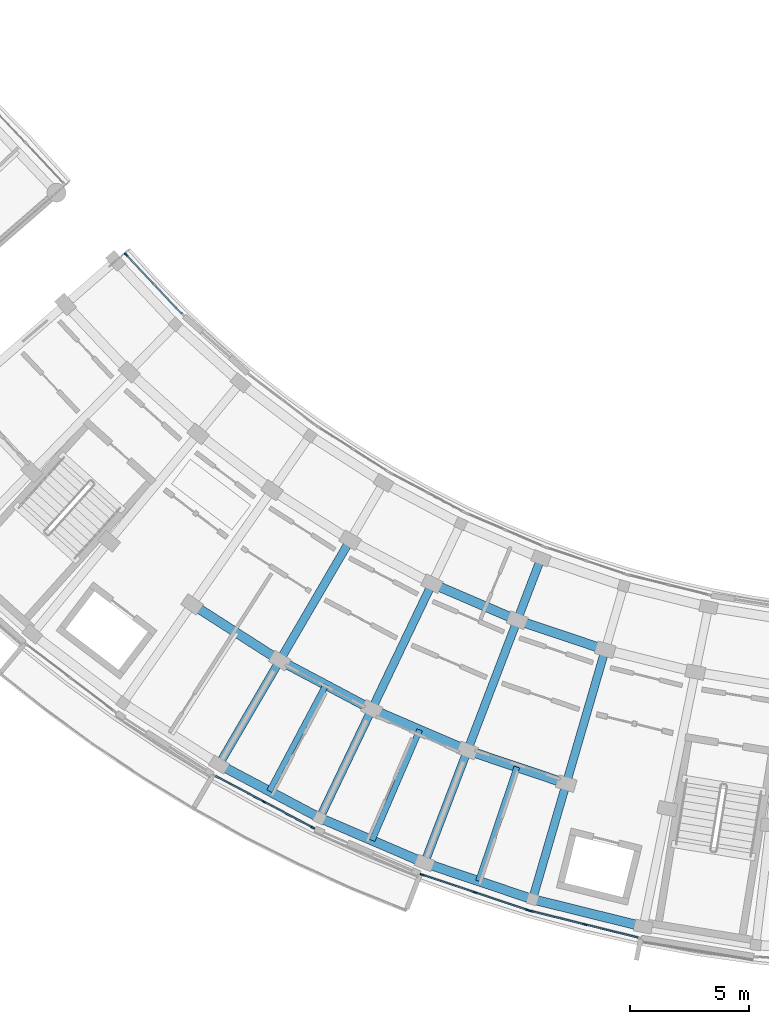
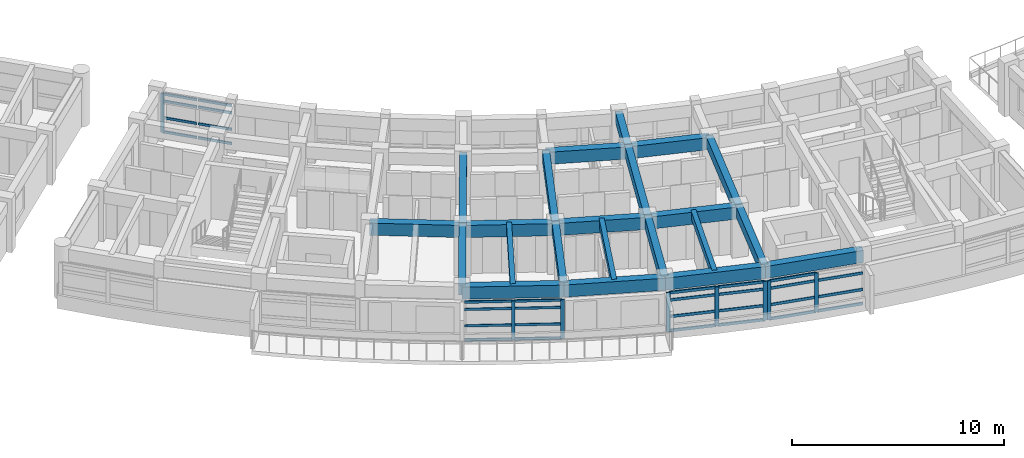
# One storey, part 11 of 54: 39 members, 22 beams, 4 elements without a shape of their own.
"""IFC4 building model written with IfcOpenShell, lengths in metres."""

from ifc_helpers import new_model, si_unit, direction, frame, origin, origin_2d, place, context, subcontext, project, spatial, rectangle, extrude, material, material_profile, profile_set, type_object, element, aggregate, save


model = new_model("IFC4")

# Units and contexts
model_context = context("Model", 3, precision=1e-05, world=origin(), true_north=direction((0.0, 1.0)))
body_context = subcontext(model_context, "Body", "Model", "MODEL_VIEW")
ifc_project = project(units=[si_unit("LENGTHUNIT", "METRE"), si_unit("AREAUNIT", "SQUARE_METRE"), si_unit("VOLUMEUNIT", "CUBIC_METRE"), si_unit("PLANEANGLEUNIT", "RADIAN"), si_unit("MASSUNIT", "GRAM", prefix="KILO")], contexts=[model_context])

# Site, building, storey
site_placement = place(None, origin())
site = spatial("IfcSite", under=ifc_project, at=site_placement, CompositionType="ELEMENT")
building_placement = place(site_placement, origin())
building = spatial("IfcBuilding", under=site, at=building_placement, Name="Zimvara Arc Housing Community", CompositionType="ELEMENT")
storey_placement = place(building_placement, frame((0.0, 0.0, 20.5)))
storey = spatial("IfcBuildingStorey", under=building, at=storey_placement, Name="L06", CompositionType="ELEMENT", Elevation=20.5)

# Beams
ifc_material_1 = material(Name="Concrete C40/50", Category="concrete")
ifc_material_profile_1 = material_profile(ifc_material_1, rectangle(XDim=0.25, YDim=0.449951171875, at=origin_2d()), Name="RC 250x450")
ifc_profile_set_1 = profile_set([ifc_material_profile_1], Name="Concrete C40/50")
beam_type_1 = type_object("IfcBeamType", Name="BM-RC-250x450", PredefinedType="JOIST", material=ifc_profile_set_1)
for number, where, z_axis, x_axis, name in (
    (1, (100.793212890625, 62.37060546875, 2.635009765625), (-0.46853732736, -0.883443701019, 0.0), (0.883443701019, -0.46853732736, 0.0), "bm:blkC:L06:joist:b4"),
    (2, (104.751953125, 60.473876953125, 2.635009765625), (-0.394946561353, -0.918704094731, 0.0), (0.918704094731, -0.394946561353, 0.0), "bm:blkC:L06:joist:b5"),
    (3, (108.85205078125, 58.906494140625, 2.635009765625), (-0.318622196545, -0.947881794249, 0.0), (0.947881794249, -0.318622196545, 0.0), "bm:blkC:L06:joist:b6"),
):
    element("IfcBeam", number, at=place(storey_placement, frame(where, z_axis=z_axis, x_axis=x_axis)), inside=storey, type_object=beam_type_1, Name=name, PredefinedType="JOIST", context=body_context, shape_type="SweptSolid", body=[
        extrude(rectangle(XDim=0.25, YDim=0.449951171875, at=origin_2d()), origin(), (0.0, 0.0, 1.0), 5.07568359375),
    ])
ifc_material_2 = material(Name="Concrete C40/50", Category="concrete")
ifc_material_profile_2 = material_profile(ifc_material_2, rectangle(XDim=0.35009765625, YDim=0.60009765625, at=origin_2d()), Name="RC 350x600")
ifc_profile_set_2 = profile_set([ifc_material_profile_2], Name="Concrete C40/50")
beam_type_2 = type_object("IfcBeamType", Name="BM-RC-350x600", PredefinedType="BEAM", material=ifc_profile_set_2)
beam_1_placement = place(storey_placement, frame((101.8173828125, 68.4775390625, 2.56005859375), z_axis=(-0.504237574462, -0.863564976421, 0.0), x_axis=(0.863564976421, -0.504237574462, 0.0)))
element("IfcBeam", 4, at=beam_1_placement, inside=storey, type_object=beam_type_2, Name="bm:blkC:L06:rad:b4:r12", PredefinedType="BEAM", context=body_context, shape_type="SweptSolid", body=[
    extrude(rectangle(XDim=0.35009765625, YDim=0.60009765625, at=origin_2d()), origin(), (0.0, 0.0, 1.0), 5.8798828125),
])
beam_2_placement = place(storey_placement, frame((98.8525390625, 63.39990234375, 2.56005859375), z_axis=(-0.504196701544, -0.863588840915, 0.0), x_axis=(0.863588840915, -0.504196701544, 0.0)))
element("IfcBeam", 5, at=beam_2_placement, inside=storey, type_object=beam_type_2, Name="bm:blkC:L06:rad:b4:r23", PredefinedType="BEAM", context=body_context, shape_type="SweptSolid", body=[
    extrude(rectangle(XDim=0.35009765625, YDim=0.60009765625, at=origin_2d()), origin(), (0.0, 0.0, 1.0), 5.079833984375),
])
beam_3_placement = place(storey_placement, frame((105.2744140625, 66.644287109375, 2.56005859375), z_axis=(-0.432053349188, -0.901848048983, 0.0), x_axis=(0.901848048983, -0.432053349188, 0.0)))
element("IfcBeam", 6, at=beam_3_placement, inside=storey, type_object=beam_type_2, Name="bm:blkC:L06:rad:b5:r12", PredefinedType="BEAM", context=body_context, shape_type="SweptSolid", body=[
    extrude(rectangle(XDim=0.35009765625, YDim=0.60009765625, at=origin_2d()), origin(), (0.0, 0.0, 1.0), 5.880126953125),
])
beam_4_placement = place(storey_placement, frame((102.73388671875, 61.34130859375, 2.56005859375), z_axis=(-0.432098194978, -0.901826563091, 0.0), x_axis=(0.901826563091, -0.432098194978, 0.0)))
element("IfcBeam", 7, at=beam_4_placement, inside=storey, type_object=beam_type_2, Name="bm:blkC:L06:rad:b5:r23", PredefinedType="BEAM", context=body_context, shape_type="SweptSolid", body=[
    extrude(rectangle(XDim=0.35009765625, YDim=0.60009765625, at=origin_2d()), origin(), (0.0, 0.0, 1.0), 5.080078125),
])
beam_5_placement = place(storey_placement, frame((109.869384765625, 67.71435546875, 2.56005859375), z_axis=(-0.357126279724, -0.934056111982, 0.0), x_axis=(0.934056111982, -0.357126279724, 0.0)))
element("IfcBeam", 8, at=beam_5_placement, inside=storey, type_object=beam_type_2, Name="bm:blkC:L06:rad:b6:r01", PredefinedType="BEAM", context=body_context, shape_type="SweptSolid", body=[
    extrude(rectangle(XDim=0.35009765625, YDim=0.60009765625, at=origin_2d()), origin(), (0.0, 0.0, 1.0), 2.800048828125),
])
beam_6_placement = place(storey_placement, frame((108.869384765625, 65.098876953125, 2.56005859375), z_axis=(-0.357036247742, -0.934090529766, 0.0), x_axis=(0.934090529766, -0.357036247742, 0.0)))
element("IfcBeam", 9, at=beam_6_placement, inside=storey, type_object=beam_type_2, Name="bm:blkC:L06:rad:b6:r12", PredefinedType="BEAM", context=body_context, shape_type="SweptSolid", body=[
    extrude(rectangle(XDim=0.35009765625, YDim=0.60009765625, at=origin_2d()), origin(), (0.0, 0.0, 1.0), 5.8798828125),
])
beam_7_placement = place(storey_placement, frame((106.77001953125, 59.6064453125, 2.56005859375), z_axis=(-0.357078271386, -0.934074466038, 0.0), x_axis=(0.934074466038, -0.357078271386, 0.0)))
element("IfcBeam", 10, at=beam_7_placement, inside=storey, type_object=beam_type_2, Name="bm:blkC:L06:rad:b6:r23", PredefinedType="BEAM", context=body_context, shape_type="SweptSolid", body=[
    extrude(rectangle(XDim=0.35009765625, YDim=0.60009765625, at=origin_2d()), origin(), (0.0, 0.0, 1.0), 5.080078125),
])
beam_8_placement = place(storey_placement, frame((112.57861328125, 63.85205078125, 2.56005859375), z_axis=(-0.27964761269, -0.960102709462, 0.0), x_axis=(0.960102709462, -0.27964761269, 0.0)))
element("IfcBeam", 11, at=beam_8_placement, inside=storey, type_object=beam_type_2, Name="bm:blkC:L06:rad:b7:r12", PredefinedType="BEAM", context=body_context, shape_type="SweptSolid", body=[
    extrude(rectangle(XDim=0.35009765625, YDim=0.60009765625, at=origin_2d()), origin(), (0.0, 0.0, 1.0), 5.8798828125),
])
beam_9_placement = place(storey_placement, frame((110.934326171875, 58.206787109375, 2.56005859375), z_axis=(-0.279693649113, -0.960089299308, 0.0), x_axis=(0.960089299308, -0.279693649113, 0.0)))
element("IfcBeam", 12, at=beam_9_placement, inside=storey, type_object=beam_type_2, Name="bm:blkC:L06:rad:b7:r23", PredefinedType="BEAM", context=body_context, shape_type="SweptSolid", body=[
    extrude(rectangle(XDim=0.35009765625, YDim=0.60009765625, at=origin_2d()), origin(), (0.0, 0.0, 1.0), 5.080078125),
])
ifc_material_3 = material(Name="Concrete C40/50", Category="concrete")
ifc_material_profile_3 = material_profile(ifc_material_3, rectangle(XDim=0.39990234375, YDim=0.699951171875, at=origin_2d()), Name="RC 400x700")
ifc_profile_set_3 = profile_set([ifc_material_profile_3], Name="Concrete C40/50")
beam_type_3 = type_object("IfcBeamType", Name="BM-RC-400x700", PredefinedType="BEAM", material=ifc_profile_set_3)
for number, where, z_axis, x_axis, name in (
    (13, (105.2744140625, 66.644287109375, 2.510009765625), (0.918708805961, -0.394935602155, 0.0), (0.394935602155, 0.918708805961, 0.0), "bm:blkC:L06:chord:r1:b5"),
    (14, (108.869384765625, 65.098876953125, 2.510009765625), (0.947881689069, -0.31862250945, 0.0), (0.31862250945, 0.947881689069, 0.0), "bm:blkC:L06:chord:r1:b6"),
):
    element("IfcBeam", number, at=place(storey_placement, frame(where, z_axis=z_axis, x_axis=x_axis)), inside=storey, type_object=beam_type_3, Name=name, PredefinedType="BEAM", context=body_context, shape_type="SweptSolid", body=[
        extrude(rectangle(XDim=0.39990234375, YDim=0.699951171875, at=origin_2d()), origin(), (0.0, 0.0, 1.0), 3.9130859375),
    ])
beam_10_placement = place(storey_placement, frame((95.15234375, 65.76806640625, 2.510009765625), z_axis=(0.842267363538, -0.539060004376, 0.0), x_axis=(0.539060004376, 0.842267363538, 0.0)))
element("IfcBeam", 15, at=beam_10_placement, inside=storey, type_object=beam_type_3, Name="bm:blkC:L06:chord:r2:b3", PredefinedType="BEAM", context=body_context, shape_type="SweptSolid", body=[
    extrude(rectangle(XDim=0.39990234375, YDim=0.699951171875, at=origin_2d()), origin(), (0.0, 0.0, 1.0), 4.39306640625),
])
beam_11_placement = place(storey_placement, frame((98.8525390625, 63.39990234375, 2.510009765625), z_axis=(0.883433524437, -0.468556515162, 0.0), x_axis=(0.468556515162, 0.883433524437, 0.0)))
element("IfcBeam", 16, at=beam_11_placement, inside=storey, type_object=beam_type_3, Name="bm:blkC:L06:chord:r2:b4", PredefinedType="BEAM", context=body_context, shape_type="SweptSolid", body=[
    extrude(rectangle(XDim=0.39990234375, YDim=0.699951171875, at=origin_2d()), origin(), (0.0, 0.0, 1.0), 4.3935546875),
])
for number, where, z_axis, x_axis, name in (
    (17, (102.73388671875, 61.34130859375, 2.510009765625), (0.918724840088, -0.394898301093, 0.0), (0.394898301093, 0.918724840088, 0.0), "bm:blkC:L06:chord:r2:b5"),
    (18, (106.77001953125, 59.6064453125, 2.510009765625), (0.947891222174, -0.318594147665, 0.0), (0.318594147665, 0.947891222174, 0.0), "bm:blkC:L06:chord:r2:b6"),
):
    element("IfcBeam", number, at=place(storey_placement, frame(where, z_axis=z_axis, x_axis=x_axis)), inside=storey, type_object=beam_type_3, Name=name, PredefinedType="BEAM", context=body_context, shape_type="SweptSolid", body=[
        extrude(rectangle(XDim=0.39990234375, YDim=0.699951171875, at=origin_2d()), origin(), (0.0, 0.0, 1.0), 4.393310546875),
    ])
for number, where, z_axis, x_axis, name in (
    (19, (96.291259765625, 59.012939453125, 2.510009765625), (0.883424523434, -0.468573485587, 0.0), (0.468573485587, 0.883424523434, 0.0), "bm:blkC:L06:chord:r3:b4"),
    (20, (100.538818359375, 56.760009765625, 2.510009765625), (0.918724276228, -0.394899612901, 0.0), (0.394899612901, 0.918724276228, 0.0), "bm:blkC:L06:chord:r3:b5"),
):
    element("IfcBeam", number, at=place(storey_placement, frame(where, z_axis=z_axis, x_axis=x_axis)), inside=storey, type_object=beam_type_3, Name=name, PredefinedType="BEAM", context=body_context, shape_type="SweptSolid", body=[
        extrude(rectangle(XDim=0.39990234375, YDim=0.699951171875, at=origin_2d()), origin(), (0.0, 0.0, 1.0), 4.80810546875),
    ])
beam_12_placement = place(storey_placement, frame((104.9560546875, 54.861328125, 2.510009765625), z_axis=(0.947877948153, -0.31863363822, 0.0), x_axis=(0.31863363822, 0.947877948153, 0.0)))
element("IfcBeam", 21, at=beam_12_placement, inside=storey, type_object=beam_type_3, Name="bm:blkC:L06:chord:r3:b6", PredefinedType="BEAM", context=body_context, shape_type="SweptSolid", body=[
    extrude(rectangle(XDim=0.39990234375, YDim=0.699951171875, at=origin_2d()), origin(), (0.0, 0.0, 1.0), 4.807861328125),
])
beam_13_placement = place(storey_placement, frame((109.513427734375, 53.329345703125, 2.510009765625), z_axis=(0.970719165502, -0.240217196986, 0.0), x_axis=(0.240217196986, 0.970719165502, 0.0)))
element("IfcBeam", 22, at=beam_13_placement, inside=storey, type_object=beam_type_3, Name="bm:blkC:L06:chord:r3:b7", PredefinedType="BEAM", context=body_context, shape_type="SweptSolid", body=[
    extrude(rectangle(XDim=0.39990234375, YDim=0.699951171875, at=origin_2d()), origin(), (0.0, 0.0, 1.0), 4.808349609375),
])

# Curtain wall, member
ifc_material_4 = material(Name="Anodised Aluminium AW-6063", Category="aluminium")
curtain_wall_type_1 = type_object("IfcCurtainWallType", Name="CW-SYS-06", PredefinedType="USERDEFINED", material=ifc_material_4)
curtain_wall_1_placement = place(storey_placement, origin())
curtain_wall_1 = element("IfcCurtainWall", 23, at=curtain_wall_1_placement, inside=storey, type_object=curtain_wall_type_1, Name="cw:blkC:L06:in:b0", ObjectType="CURTAIN WALL", PredefinedType="USERDEFINED")
ifc_material_5 = material(Name="Anodised Aluminium AW-6063", Category="aluminium")
ifc_material_profile_4 = material_profile(ifc_material_5, rectangle(XDim=0.06494140625, YDim=0.179931640625, at=origin_2d()), Name="ALU 65x180")
ifc_profile_set_4 = profile_set([ifc_material_profile_4], Name="Anodised Aluminium AW-6063")
member_type_1 = type_object("IfcMemberType", Name="CWM-65x150", PredefinedType="MULLION", material=ifc_profile_set_4)
member_1_placement = place(storey_placement, frame((92.368408203125, 80.519287109375, 0.0), z_axis=(0.0, 0.0, 1.0), x_axis=(0.727293280483, 0.686326805658, 0.0)))
member_1 = element("IfcMember", 24, at=member_1_placement, type_object=member_type_1, Name="CW06 mullion 1", PredefinedType="MULLION", context=body_context, shape_type="SweptSolid", body=[
    extrude(rectangle(XDim=0.06494140625, YDim=0.179931640625, at=origin_2d()), origin(), (0.0, 0.0, 1.0), 2.25),
])

# Curtain wall, members
ifc_material_6 = material(Name="Anodised Aluminium AW-6063", Category="aluminium")
curtain_wall_type_2 = type_object("IfcCurtainWallType", Name="CW-SYS-02", PredefinedType="USERDEFINED", material=ifc_material_6)
curtain_wall_2_placement = place(storey_placement, origin())
curtain_wall_2 = element("IfcCurtainWall", 25, at=curtain_wall_2_placement, inside=storey, type_object=curtain_wall_type_2, Name="cw:blkC:L06:out:b4", ObjectType="CURTAIN WALL", PredefinedType="USERDEFINED")
member_2_placement = place(storey_placement, frame((98.180908203125, 57.445068359375, 0.0), z_axis=(0.0, 0.0, 1.0), x_axis=(0.468546917761, 0.883438614651, 0.0)))
member_2 = element("IfcMember", 26, at=member_2_placement, type_object=member_type_1, Name="CW02 mullion 2", PredefinedType="MULLION", context=body_context, shape_type="SweptSolid", body=[
    extrude(rectangle(XDim=0.06494140625, YDim=0.179931640625, at=origin_2d()), origin(), (0.0, 0.0, 1.0), 2.25),
])
member_3_placement = place(storey_placement, frame((100.240966796875, 56.3525390625, 0.0), z_axis=(0.0, 0.0, 1.0), x_axis=(0.468546917761, 0.883438614651, 0.0)))
member_3 = element("IfcMember", 27, at=member_3_placement, type_object=member_type_1, Name="CW02 mullion 3", PredefinedType="MULLION", context=body_context, shape_type="SweptSolid", body=[
    extrude(rectangle(XDim=0.06494140625, YDim=0.179931640625, at=origin_2d()), origin(), (0.0, 0.0, 1.0), 2.25),
])

ifc_material_7 = material(Name="Anodised Aluminium AW-6063", Category="aluminium")
curtain_wall_type_3 = type_object("IfcCurtainWallType", Name="CW-SYS-05", PredefinedType="USERDEFINED", material=ifc_material_7)
curtain_wall_3_placement = place(storey_placement, origin())
curtain_wall_3 = element("IfcCurtainWall", 28, at=curtain_wall_3_placement, inside=storey, type_object=curtain_wall_type_3, Name="cw:blkC:L06:out:b6", ObjectType="CURTAIN WALL", PredefinedType="USERDEFINED")
ifc_material_8 = material(Name="Anodised Aluminium AW-6063", Category="aluminium")
ifc_material_profile_5 = material_profile(ifc_material_8, rectangle(XDim=0.06494140625, YDim=0.195068359375, at=origin_2d()), Name="ALU 65x195")
ifc_profile_set_5 = profile_set([ifc_material_profile_5], Name="Anodised Aluminium AW-6063")
member_type_2 = type_object("IfcMemberType", Name="CWM-65x180", PredefinedType="MULLION", material=ifc_profile_set_5)
member_4_placement = place(storey_placement, frame((104.865234375, 54.36474609375, 0.0), z_axis=(0.0, 0.0, 1.0), x_axis=(0.318628583921, 0.947879647164, 0.0)))
member_4 = element("IfcMember", 29, at=member_4_placement, type_object=member_type_2, Name="CW05 mullion 1", PredefinedType="MULLION", context=body_context, shape_type="SweptSolid", body=[
    extrude(rectangle(XDim=0.06494140625, YDim=0.195068359375, at=origin_2d()), origin(), (0.0, 0.0, 1.0), 2.25),
])
member_5_placement = place(storey_placement, frame((107.07568359375, 53.621826171875, 0.0), z_axis=(0.0, 0.0, 1.0), x_axis=(0.318628583921, 0.947879647164, 0.0)))
member_5 = element("IfcMember", 30, at=member_5_placement, type_object=member_type_2, Name="CW05 mullion 2", PredefinedType="MULLION", context=body_context, shape_type="SweptSolid", body=[
    extrude(rectangle(XDim=0.06494140625, YDim=0.195068359375, at=origin_2d()), origin(), (0.0, 0.0, 1.0), 2.25),
])
member_6_placement = place(storey_placement, frame((109.2861328125, 52.87890625, 0.0), z_axis=(0.0, 0.0, 1.0), x_axis=(0.318628583921, 0.947879647164, 0.0)))
member_6 = element("IfcMember", 31, at=member_6_placement, type_object=member_type_2, Name="CW05 mullion 3", PredefinedType="MULLION", context=body_context, shape_type="SweptSolid", body=[
    extrude(rectangle(XDim=0.06494140625, YDim=0.195068359375, at=origin_2d()), origin(), (0.0, 0.0, 1.0), 2.25),
])

ifc_material_9 = material(Name="Anodised Aluminium AW-6063", Category="aluminium")
curtain_wall_type_4 = type_object("IfcCurtainWallType", Name="CW-SYS-07", PredefinedType="USERDEFINED", material=ifc_material_9)
curtain_wall_4_placement = place(storey_placement, origin())
curtain_wall_4 = element("IfcCurtainWall", 32, at=curtain_wall_4_placement, inside=storey, type_object=curtain_wall_type_4, Name="cw:blkC:L06:out:b7", ObjectType="CURTAIN WALL", PredefinedType="USERDEFINED")
member_7_placement = place(storey_placement, frame((109.46337890625, 52.8271484375, 0.0), z_axis=(0.0, 0.0, 1.0), x_axis=(0.240229711131, 0.970716068627, 0.0)))
member_7 = element("IfcMember", 33, at=member_7_placement, type_object=member_type_2, Name="CW07 mullion 1", PredefinedType="MULLION", context=body_context, shape_type="SweptSolid", body=[
    extrude(rectangle(XDim=0.06494140625, YDim=0.195068359375, at=origin_2d()), origin(), (0.0, 0.0, 1.0), 2.25),
])
member_8_placement = place(storey_placement, frame((111.72705078125, 52.266845703125, 0.0), z_axis=(0.0, 0.0, 1.0), x_axis=(0.240229711131, 0.970716068627, 0.0)))
member_8 = element("IfcMember", 34, at=member_8_placement, type_object=member_type_2, Name="CW07 mullion 2", PredefinedType="MULLION", context=body_context, shape_type="SweptSolid", body=[
    extrude(rectangle(XDim=0.06494140625, YDim=0.195068359375, at=origin_2d()), origin(), (0.0, 0.0, 1.0), 2.25),
])

# Member
ifc_material_10 = material(Name="Anodised Aluminium AW-6063", Category="aluminium")
ifc_material_profile_6 = material_profile(ifc_material_10, rectangle(XDim=0.06494140625, YDim=0.139892578125, at=origin_2d()), Name="ALU 65x140")
ifc_profile_set_6 = profile_set([ifc_material_profile_6], Name="Anodised Aluminium AW-6063")
member_type_3 = type_object("IfcMemberType", Name="CWT-65x120", PredefinedType="USERDEFINED", material=ifc_profile_set_6)
member_9_placement = place(storey_placement, frame((92.390625, 80.495849609375, 0.032470703125), z_axis=(0.686347817597, -0.727273451516, 0.0), x_axis=(0.727273451516, 0.686347817597, 0.0)))
member_9 = element("IfcMember", 35, at=member_9_placement, type_object=member_type_3, Name="CW06 transom 1.1", ObjectType="TRANSOM", PredefinedType="USERDEFINED", context=body_context, shape_type="SweptSolid", body=[
    extrude(rectangle(XDim=0.06494140625, YDim=0.139892578125, at=origin_2d()), origin(), (0.0, 0.0, 1.0), 1.664306640625),
])

member_10_placement = place(storey_placement, frame((92.390625, 80.495849609375, 0.85009765625), z_axis=(0.686347817597, -0.727273451516, 0.0), x_axis=(0.727273451516, 0.686347817597, 0.0)))
member_10 = element("IfcMember", 36, at=member_10_placement, type_object=member_type_3, Name="CW06 transom 1.2", ObjectType="TRANSOM", PredefinedType="USERDEFINED", context=body_context, shape_type="SweptSolid", body=[
    extrude(rectangle(XDim=0.06494140625, YDim=0.139892578125, at=origin_2d()), origin(), (0.0, 0.0, 1.0), 1.664306640625),
])

member_11_placement = place(storey_placement, frame((92.390625, 80.495849609375, 1.800048828125), z_axis=(0.686347817597, -0.727273451516, 0.0), x_axis=(0.727273451516, 0.686347817597, 0.0)))
member_11 = element("IfcMember", 37, at=member_11_placement, type_object=member_type_3, Name="CW06 transom 1.3", ObjectType="TRANSOM", PredefinedType="USERDEFINED", context=body_context, shape_type="SweptSolid", body=[
    extrude(rectangle(XDim=0.06494140625, YDim=0.139892578125, at=origin_2d()), origin(), (0.0, 0.0, 1.0), 1.664306640625),
])

member_12_placement = place(storey_placement, frame((92.390625, 80.495849609375, 2.217529296875), z_axis=(0.686347817597, -0.727273451516, 0.0), x_axis=(0.727273451516, 0.686347817597, 0.0)))
member_12 = element("IfcMember", 38, at=member_12_placement, type_object=member_type_3, Name="CW06 transom 1.4", ObjectType="TRANSOM", PredefinedType="USERDEFINED", context=body_context, shape_type="SweptSolid", body=[
    extrude(rectangle(XDim=0.06494140625, YDim=0.139892578125, at=origin_2d()), origin(), (0.0, 0.0, 1.0), 1.664306640625),
])

member_13_placement = place(storey_placement, frame((93.57763671875, 79.238037109375, 0.032470703125), z_axis=(0.686270219286, -0.727346675335, 0.0), x_axis=(0.727346675335, 0.686270219286, 0.0)))
member_13 = element("IfcMember", 39, at=member_13_placement, type_object=member_type_3, Name="CW06 transom 2.1", ObjectType="TRANSOM", PredefinedType="USERDEFINED", context=body_context, shape_type="SweptSolid", body=[
    extrude(rectangle(XDim=0.06494140625, YDim=0.139892578125, at=origin_2d()), origin(), (0.0, 0.0, 1.0), 1.664306640625),
])

member_14_placement = place(storey_placement, frame((93.57763671875, 79.238037109375, 0.85009765625), z_axis=(0.686270219286, -0.727346675335, 0.0), x_axis=(0.727346675335, 0.686270219286, 0.0)))
member_14 = element("IfcMember", 40, at=member_14_placement, type_object=member_type_3, Name="CW06 transom 2.2", ObjectType="TRANSOM", PredefinedType="USERDEFINED", context=body_context, shape_type="SweptSolid", body=[
    extrude(rectangle(XDim=0.06494140625, YDim=0.139892578125, at=origin_2d()), origin(), (0.0, 0.0, 1.0), 1.664306640625),
])

member_15_placement = place(storey_placement, frame((93.57763671875, 79.238037109375, 1.800048828125), z_axis=(0.686270219286, -0.727346675335, 0.0), x_axis=(0.727346675335, 0.686270219286, 0.0)))
member_15 = element("IfcMember", 41, at=member_15_placement, type_object=member_type_3, Name="CW06 transom 2.3", ObjectType="TRANSOM", PredefinedType="USERDEFINED", context=body_context, shape_type="SweptSolid", body=[
    extrude(rectangle(XDim=0.06494140625, YDim=0.139892578125, at=origin_2d()), origin(), (0.0, 0.0, 1.0), 1.664306640625),
])

member_16_placement = place(storey_placement, frame((93.57763671875, 79.238037109375, 2.217529296875), z_axis=(0.686270219286, -0.727346675335, 0.0), x_axis=(0.727346675335, 0.686270219286, 0.0)))
member_16 = element("IfcMember", 42, at=member_16_placement, type_object=member_type_3, Name="CW06 transom 2.4", ObjectType="TRANSOM", PredefinedType="USERDEFINED", context=body_context, shape_type="SweptSolid", body=[
    extrude(rectangle(XDim=0.06494140625, YDim=0.139892578125, at=origin_2d()), origin(), (0.0, 0.0, 1.0), 1.664306640625),
])

aggregate(curtain_wall_1, [member_1, member_9, member_10, member_11, member_12, member_13, member_14, member_15, member_16])

member_17_placement = place(storey_placement, frame((96.1494140625, 58.5224609375, 0.032470703125), z_axis=(0.883465479137, -0.468496261642, 0.0), x_axis=(0.468496261642, 0.883465479137, 0.0)))
member_17 = element("IfcMember", 43, at=member_17_placement, type_object=member_type_3, Name="CW02 transom 1.1", ObjectType="TRANSOM", PredefinedType="USERDEFINED", context=body_context, shape_type="SweptSolid", body=[
    extrude(rectangle(XDim=0.06494140625, YDim=0.139892578125, at=origin_2d()), origin(), (0.0, 0.0, 1.0), 2.266845703125),
])

member_18_placement = place(storey_placement, frame((96.1494140625, 58.5224609375, 0.85009765625), z_axis=(0.883465479137, -0.468496261642, 0.0), x_axis=(0.468496261642, 0.883465479137, 0.0)))
member_18 = element("IfcMember", 44, at=member_18_placement, type_object=member_type_3, Name="CW02 transom 1.2", ObjectType="TRANSOM", PredefinedType="USERDEFINED", context=body_context, shape_type="SweptSolid", body=[
    extrude(rectangle(XDim=0.06494140625, YDim=0.139892578125, at=origin_2d()), origin(), (0.0, 0.0, 1.0), 2.266845703125),
])

member_19_placement = place(storey_placement, frame((96.1494140625, 58.5224609375, 1.800048828125), z_axis=(0.883465479137, -0.468496261642, 0.0), x_axis=(0.468496261642, 0.883465479137, 0.0)))
member_19 = element("IfcMember", 45, at=member_19_placement, type_object=member_type_3, Name="CW02 transom 1.3", ObjectType="TRANSOM", PredefinedType="USERDEFINED", context=body_context, shape_type="SweptSolid", body=[
    extrude(rectangle(XDim=0.06494140625, YDim=0.139892578125, at=origin_2d()), origin(), (0.0, 0.0, 1.0), 2.266845703125),
])

member_20_placement = place(storey_placement, frame((96.1494140625, 58.5224609375, 2.217529296875), z_axis=(0.883465479137, -0.468496261642, 0.0), x_axis=(0.468496261642, 0.883465479137, 0.0)))
member_20 = element("IfcMember", 46, at=member_20_placement, type_object=member_type_3, Name="CW02 transom 1.4", ObjectType="TRANSOM", PredefinedType="USERDEFINED", context=body_context, shape_type="SweptSolid", body=[
    extrude(rectangle(XDim=0.06494140625, YDim=0.139892578125, at=origin_2d()), origin(), (0.0, 0.0, 1.0), 2.266845703125),
])

member_21_placement = place(storey_placement, frame((98.209716796875, 57.429931640625, 0.032470703125), z_axis=(0.883420900208, -0.468580316568, 0.0), x_axis=(0.468580316568, 0.883420900208, 0.0)))
member_21 = element("IfcMember", 47, at=member_21_placement, type_object=member_type_3, Name="CW02 transom 2.1", ObjectType="TRANSOM", PredefinedType="USERDEFINED", context=body_context, shape_type="SweptSolid", body=[
    extrude(rectangle(XDim=0.06494140625, YDim=0.139892578125, at=origin_2d()), origin(), (0.0, 0.0, 1.0), 2.266845703125),
])

member_22_placement = place(storey_placement, frame((98.209716796875, 57.429931640625, 0.85009765625), z_axis=(0.883420900208, -0.468580316568, 0.0), x_axis=(0.468580316568, 0.883420900208, 0.0)))
member_22 = element("IfcMember", 48, at=member_22_placement, type_object=member_type_3, Name="CW02 transom 2.2", ObjectType="TRANSOM", PredefinedType="USERDEFINED", context=body_context, shape_type="SweptSolid", body=[
    extrude(rectangle(XDim=0.06494140625, YDim=0.139892578125, at=origin_2d()), origin(), (0.0, 0.0, 1.0), 2.266845703125),
])

member_23_placement = place(storey_placement, frame((98.209716796875, 57.429931640625, 1.800048828125), z_axis=(0.883420900208, -0.468580316568, 0.0), x_axis=(0.468580316568, 0.883420900208, 0.0)))
member_23 = element("IfcMember", 49, at=member_23_placement, type_object=member_type_3, Name="CW02 transom 2.3", ObjectType="TRANSOM", PredefinedType="USERDEFINED", context=body_context, shape_type="SweptSolid", body=[
    extrude(rectangle(XDim=0.06494140625, YDim=0.139892578125, at=origin_2d()), origin(), (0.0, 0.0, 1.0), 2.266845703125),
])

member_24_placement = place(storey_placement, frame((98.209716796875, 57.429931640625, 2.217529296875), z_axis=(0.883420900208, -0.468580316568, 0.0), x_axis=(0.468580316568, 0.883420900208, 0.0)))
member_24 = element("IfcMember", 50, at=member_24_placement, type_object=member_type_3, Name="CW02 transom 2.4", ObjectType="TRANSOM", PredefinedType="USERDEFINED", context=body_context, shape_type="SweptSolid", body=[
    extrude(rectangle(XDim=0.06494140625, YDim=0.139892578125, at=origin_2d()), origin(), (0.0, 0.0, 1.0), 2.266845703125),
])

aggregate(curtain_wall_2, [member_2, member_3, member_17, member_18, member_19, member_20, member_21, member_22, member_23, member_24])

ifc_material_11 = material(Name="Anodised Aluminium AW-6063", Category="aluminium")
ifc_material_profile_7 = material_profile(ifc_material_11, rectangle(XDim=0.06494140625, YDim=0.155029296875, at=origin_2d()), Name="ALU 65x155")
ifc_profile_set_7 = profile_set([ifc_material_profile_7], Name="Anodised Aluminium AW-6063")
member_type_4 = type_object("IfcMemberType", Name="CWT-65x140", PredefinedType="USERDEFINED", material=ifc_profile_set_7)
member_25_placement = place(storey_placement, frame((104.89599609375, 54.3544921875, 0.032470703125), z_axis=(0.947872541471, -0.318649721678, 0.0), x_axis=(0.318649721678, 0.947872541471, 0.0)))
member_25 = element("IfcMember", 51, at=member_25_placement, type_object=member_type_4, Name="CW05 transom 1.1", ObjectType="TRANSOM", PredefinedType="USERDEFINED", context=body_context, shape_type="SweptSolid", body=[
    extrude(rectangle(XDim=0.06494140625, YDim=0.155029296875, at=origin_2d()), origin(), (0.0, 0.0, 1.0), 2.26708984375),
])

member_26_placement = place(storey_placement, frame((104.89599609375, 54.3544921875, 0.85009765625), z_axis=(0.947872541471, -0.318649721678, 0.0), x_axis=(0.318649721678, 0.947872541471, 0.0)))
member_26 = element("IfcMember", 52, at=member_26_placement, type_object=member_type_4, Name="CW05 transom 1.2", ObjectType="TRANSOM", PredefinedType="USERDEFINED", context=body_context, shape_type="SweptSolid", body=[
    extrude(rectangle(XDim=0.06494140625, YDim=0.155029296875, at=origin_2d()), origin(), (0.0, 0.0, 1.0), 2.26708984375),
])

member_27_placement = place(storey_placement, frame((104.89599609375, 54.3544921875, 1.800048828125), z_axis=(0.947872541471, -0.318649721678, 0.0), x_axis=(0.318649721678, 0.947872541471, 0.0)))
member_27 = element("IfcMember", 53, at=member_27_placement, type_object=member_type_4, Name="CW05 transom 1.3", ObjectType="TRANSOM", PredefinedType="USERDEFINED", context=body_context, shape_type="SweptSolid", body=[
    extrude(rectangle(XDim=0.06494140625, YDim=0.155029296875, at=origin_2d()), origin(), (0.0, 0.0, 1.0), 2.26708984375),
])

member_28_placement = place(storey_placement, frame((104.89599609375, 54.3544921875, 2.217529296875), z_axis=(0.947872541471, -0.318649721678, 0.0), x_axis=(0.318649721678, 0.947872541471, 0.0)))
member_28 = element("IfcMember", 54, at=member_28_placement, type_object=member_type_4, Name="CW05 transom 1.4", ObjectType="TRANSOM", PredefinedType="USERDEFINED", context=body_context, shape_type="SweptSolid", body=[
    extrude(rectangle(XDim=0.06494140625, YDim=0.155029296875, at=origin_2d()), origin(), (0.0, 0.0, 1.0), 2.26708984375),
])

member_29_placement = place(storey_placement, frame((107.1064453125, 53.611572265625, 0.032470703125), z_axis=(0.947861605379, -0.318682250916, 0.0), x_axis=(0.318682250916, 0.947861605379, 0.0)))
member_29 = element("IfcMember", 55, at=member_29_placement, type_object=member_type_4, Name="CW05 transom 2.1", ObjectType="TRANSOM", PredefinedType="USERDEFINED", context=body_context, shape_type="SweptSolid", body=[
    extrude(rectangle(XDim=0.06494140625, YDim=0.155029296875, at=origin_2d()), origin(), (0.0, 0.0, 1.0), 2.266845703125),
])

member_30_placement = place(storey_placement, frame((107.1064453125, 53.611572265625, 0.85009765625), z_axis=(0.947861605379, -0.318682250916, 0.0), x_axis=(0.318682250916, 0.947861605379, 0.0)))
member_30 = element("IfcMember", 56, at=member_30_placement, type_object=member_type_4, Name="CW05 transom 2.2", ObjectType="TRANSOM", PredefinedType="USERDEFINED", context=body_context, shape_type="SweptSolid", body=[
    extrude(rectangle(XDim=0.06494140625, YDim=0.155029296875, at=origin_2d()), origin(), (0.0, 0.0, 1.0), 2.266845703125),
])

member_31_placement = place(storey_placement, frame((107.1064453125, 53.611572265625, 1.800048828125), z_axis=(0.947861605379, -0.318682250916, 0.0), x_axis=(0.318682250916, 0.947861605379, 0.0)))
member_31 = element("IfcMember", 57, at=member_31_placement, type_object=member_type_4, Name="CW05 transom 2.3", ObjectType="TRANSOM", PredefinedType="USERDEFINED", context=body_context, shape_type="SweptSolid", body=[
    extrude(rectangle(XDim=0.06494140625, YDim=0.155029296875, at=origin_2d()), origin(), (0.0, 0.0, 1.0), 2.266845703125),
])

member_32_placement = place(storey_placement, frame((107.1064453125, 53.611572265625, 2.217529296875), z_axis=(0.947861605379, -0.318682250916, 0.0), x_axis=(0.318682250916, 0.947861605379, 0.0)))
member_32 = element("IfcMember", 58, at=member_32_placement, type_object=member_type_4, Name="CW05 transom 2.4", ObjectType="TRANSOM", PredefinedType="USERDEFINED", context=body_context, shape_type="SweptSolid", body=[
    extrude(rectangle(XDim=0.06494140625, YDim=0.155029296875, at=origin_2d()), origin(), (0.0, 0.0, 1.0), 2.266845703125),
])

aggregate(curtain_wall_3, [member_4, member_5, member_6, member_25, member_26, member_27, member_28, member_29, member_30, member_31, member_32])

member_33_placement = place(storey_placement, frame((109.4951171875, 52.8193359375, 0.032470703125), z_axis=(0.970703721793, -0.240279596507, 0.0), x_axis=(0.240279596507, 0.970703721793, 0.0)))
member_33 = element("IfcMember", 59, at=member_33_placement, type_object=member_type_4, Name="CW07 transom 1.1", ObjectType="TRANSOM", PredefinedType="USERDEFINED", context=body_context, shape_type="SweptSolid", body=[
    extrude(rectangle(XDim=0.06494140625, YDim=0.155029296875, at=origin_2d()), origin(), (0.0, 0.0, 1.0), 2.266845703125),
])

member_34_placement = place(storey_placement, frame((109.4951171875, 52.8193359375, 0.85009765625), z_axis=(0.970703721793, -0.240279596507, 0.0), x_axis=(0.240279596507, 0.970703721793, 0.0)))
member_34 = element("IfcMember", 60, at=member_34_placement, type_object=member_type_4, Name="CW07 transom 1.2", ObjectType="TRANSOM", PredefinedType="USERDEFINED", context=body_context, shape_type="SweptSolid", body=[
    extrude(rectangle(XDim=0.06494140625, YDim=0.155029296875, at=origin_2d()), origin(), (0.0, 0.0, 1.0), 2.266845703125),
])

member_35_placement = place(storey_placement, frame((109.4951171875, 52.8193359375, 1.800048828125), z_axis=(0.970703721793, -0.240279596507, 0.0), x_axis=(0.240279596507, 0.970703721793, 0.0)))
member_35 = element("IfcMember", 61, at=member_35_placement, type_object=member_type_4, Name="CW07 transom 1.3", ObjectType="TRANSOM", PredefinedType="USERDEFINED", context=body_context, shape_type="SweptSolid", body=[
    extrude(rectangle(XDim=0.06494140625, YDim=0.155029296875, at=origin_2d()), origin(), (0.0, 0.0, 1.0), 2.266845703125),
])

member_36_placement = place(storey_placement, frame((109.4951171875, 52.8193359375, 2.217529296875), z_axis=(0.970703721793, -0.240279596507, 0.0), x_axis=(0.240279596507, 0.970703721793, 0.0)))
member_36 = element("IfcMember", 62, at=member_36_placement, type_object=member_type_4, Name="CW07 transom 1.4", ObjectType="TRANSOM", PredefinedType="USERDEFINED", context=body_context, shape_type="SweptSolid", body=[
    extrude(rectangle(XDim=0.06494140625, YDim=0.155029296875, at=origin_2d()), origin(), (0.0, 0.0, 1.0), 2.266845703125),
])

member_37_placement = place(storey_placement, frame((111.7587890625, 52.259033203125, 0.032470703125), z_axis=(0.970728837212, -0.240178110172, 0.0), x_axis=(0.240178110172, 0.970728837212, 0.0)))
member_37 = element("IfcMember", 63, at=member_37_placement, type_object=member_type_4, Name="CW07 transom 2.1", ObjectType="TRANSOM", PredefinedType="USERDEFINED", context=body_context, shape_type="SweptSolid", body=[
    extrude(rectangle(XDim=0.06494140625, YDim=0.155029296875, at=origin_2d()), origin(), (0.0, 0.0, 1.0), 2.266845703125),
])

member_38_placement = place(storey_placement, frame((111.7587890625, 52.259033203125, 0.85009765625), z_axis=(0.970728837212, -0.240178110172, 0.0), x_axis=(0.240178110172, 0.970728837212, 0.0)))
member_38 = element("IfcMember", 64, at=member_38_placement, type_object=member_type_4, Name="CW07 transom 2.2", ObjectType="TRANSOM", PredefinedType="USERDEFINED", context=body_context, shape_type="SweptSolid", body=[
    extrude(rectangle(XDim=0.06494140625, YDim=0.155029296875, at=origin_2d()), origin(), (0.0, 0.0, 1.0), 2.266845703125),
])

member_39_placement = place(storey_placement, frame((111.7587890625, 52.259033203125, 1.800048828125), z_axis=(0.970728837212, -0.240178110172, 0.0), x_axis=(0.240178110172, 0.970728837212, 0.0)))
member_39 = element("IfcMember", 65, at=member_39_placement, type_object=member_type_4, Name="CW07 transom 2.3", ObjectType="TRANSOM", PredefinedType="USERDEFINED", context=body_context, shape_type="SweptSolid", body=[
    extrude(rectangle(XDim=0.06494140625, YDim=0.155029296875, at=origin_2d()), origin(), (0.0, 0.0, 1.0), 2.266845703125),
])

aggregate(curtain_wall_4, [member_7, member_8, member_33, member_34, member_35, member_36, member_37, member_38, member_39])

save(model, "model.ifc")
